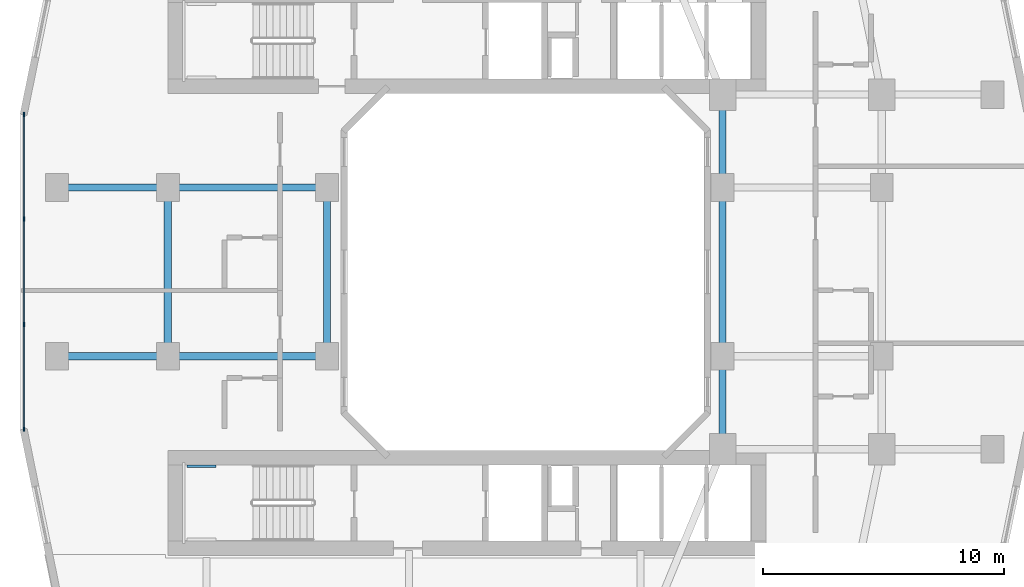
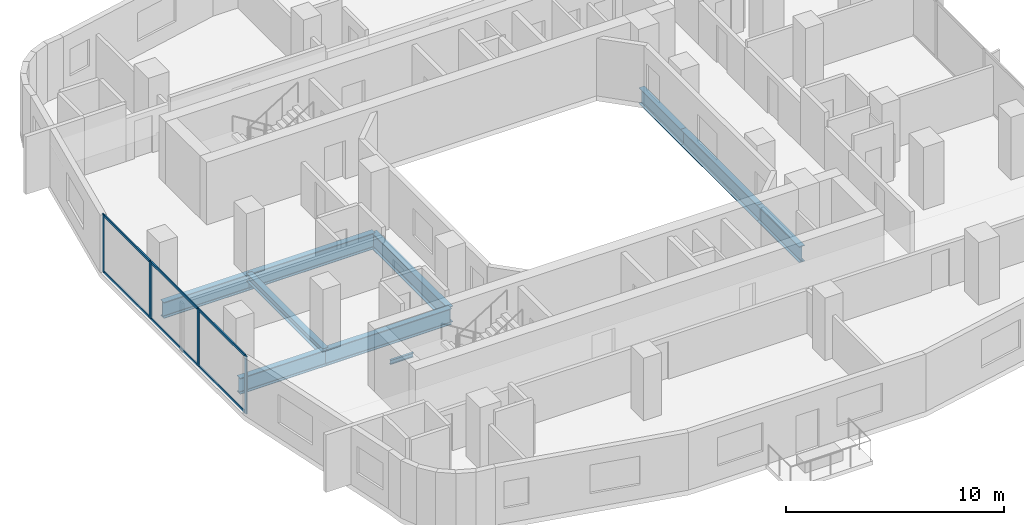
# One storey, part 2 of 22: 10 beams, 10 members, 1 element without a shape of its own.
"""IFC4 building model written with IfcOpenShell, lengths in metres."""

from ifc_helpers import new_model, si_unit, derived_unit, direction, frame, origin, origin_2d, place, context, subcontext, project, spatial, rectangle, i_section, extrude, material, layer, layer_set, material_profile, profile_set, type_object, element, aggregate, save


model = new_model("IFC4")

# Units and contexts
model_context = context("Model", 3, precision=1e-05, world=origin(), true_north=direction((0.0, 1.0)))
body_context = subcontext(model_context, "Body", "Model", "MODEL_VIEW")
ifc_project = project(units=[si_unit("LENGTHUNIT", "METRE"), si_unit("AREAUNIT", "SQUARE_METRE"), si_unit("VOLUMEUNIT", "CUBIC_METRE"), si_unit("PLANEANGLEUNIT", "RADIAN"), si_unit("MASSUNIT", "GRAM", prefix="KILO"), derived_unit("THERMALTRANSMITTANCEUNIT", [(si_unit("POWERUNIT", "WATT"), 1), (si_unit("LENGTHUNIT", "METRE"), -2), (si_unit("THERMODYNAMICTEMPERATUREUNIT", "KELVIN"), -1)])], contexts=[model_context])

# Site, building, storey
site_placement = place(None, origin())
site = spatial("IfcSite", under=ifc_project, at=site_placement, CompositionType="ELEMENT")
building_placement = place(site_placement, origin())
building = spatial("IfcBuilding", under=site, at=building_placement, Name="Kivonza Crest Hotel", CompositionType="ELEMENT")
storey_placement = place(building_placement, frame((0.0, 0.0, 27.5)))
storey = spatial("IfcBuildingStorey", under=building, at=storey_placement, Name="L06", CompositionType="ELEMENT", Elevation=27.5)

# Beams
ifc_material_1 = material(Name="Steel S355", Category="steel")
ifc_material_profile_1 = material_profile(ifc_material_1, i_section(OverallWidth=0.300048828125, OverallDepth=0.449951171875, WebThickness=0.013916015625, FlangeThickness=0.02587890625, FilletRadius=0.027099609375, at=origin_2d()), Name="HEB 450")
ifc_profile_set_1 = profile_set([ifc_material_profile_1], Name="Steel S355")
beam_type_1 = type_object("IfcBeamType", Name="BM-HEB450", PredefinedType="SPANDREL", material=ifc_profile_set_1)
beam_1_placement = place(storey_placement, frame((6.199951171875, 28.5, -0.5048828125), z_axis=(0.0, -1.0, 0.0), x_axis=(1.0, 0.0, 0.0)))
element("IfcBeam", 1, at=beam_1_placement, inside=storey, type_object=beam_type_1, Name="Tower T1 L06 perimeter spandrel W2-W1", PredefinedType="SPANDREL", context=body_context, shape_type="SweptSolid", body=[
    extrude(i_section(OverallWidth=0.300048828125, OverallDepth=0.449951171875, WebThickness=0.013916015625, FlangeThickness=0.02587890625, FilletRadius=0.027099609375, at=origin_2d()), origin(), (0.0, 0.0, 1.0), 7.0),
])
ifc_material_profile_2 = material_profile(ifc_material_1, i_section(OverallWidth=0.300048828125, OverallDepth=0.89990234375, WebThickness=0.0185546875, FlangeThickness=0.034912109375, FilletRadius=0.030029296875, at=origin_2d()), Name="HEB 900")
ifc_profile_set_2 = profile_set([ifc_material_profile_2], Name="Steel S355")
beam_type_2 = type_object("IfcBeamType", Name="BM-HEB900", PredefinedType="BEAM", material=ifc_profile_set_2)
for number, where, z_axis, x_axis, name in (
    (2, (6.199951171875, 21.5, -0.72998046875), (1.0, 0.0, 0.0), (0.0, 1.0, 0.0), "Tower T1 L06 primary girder W1-WL1"),
    (3, (6.199951171875, 28.5, -0.72998046875), (1.0, 0.0, 0.0), (0.0, 1.0, 0.0), "Tower T1 L06 primary girder W2-WL2"),
):
    element("IfcBeam", number, at=place(storey_placement, frame(where, z_axis=z_axis, x_axis=x_axis)), inside=storey, type_object=beam_type_2, Name=name, PredefinedType="BEAM", context=body_context, shape_type="SweptSolid", body=[
        extrude(i_section(OverallWidth=0.300048828125, OverallDepth=0.89990234375, WebThickness=0.0185546875, FlangeThickness=0.034912109375, FilletRadius=0.030029296875, at=origin_2d()), origin(), (0.0, 0.0, 1.0), 6.60009765625),
    ])
for number, where, z_axis, x_axis, name in (
    (4, (12.800048828125, 21.5, -0.72998046875), (0.0, 1.0, 0.0), (-1.0, 0.0, 0.0), "Tower T1 L06 primary girder WL1-WL2"),
    (5, (29.199951171875, 21.5, -0.72998046875), (0.0, 1.0, 0.0), (-1.0, 0.0, 0.0), "Tower T1 L06 primary girder WR1-WR2"),
):
    element("IfcBeam", number, at=place(storey_placement, frame(where, z_axis=z_axis, x_axis=x_axis)), inside=storey, type_object=beam_type_2, Name=name, PredefinedType="BEAM", context=body_context, shape_type="SweptSolid", body=[
        extrude(i_section(OverallWidth=0.300048828125, OverallDepth=0.89990234375, WebThickness=0.0185546875, FlangeThickness=0.034912109375, FilletRadius=0.030029296875, at=origin_2d()), origin(), (0.0, 0.0, 1.0), 7.0),
    ])
for number, where, z_axis, x_axis, name in (
    (6, (29.199951171875, 17.64990234375, -0.72998046875), (0.0, 1.0, 0.0), (-1.0, 0.0, 0.0), "Tower T1 L06 primary girder TSE-WR1"),
    (7, (29.199951171875, 28.5, -0.72998046875), (0.0, 1.0, 0.0), (-1.0, 0.0, 0.0), "Tower T1 L06 primary girder WR2-TNE"),
):
    element("IfcBeam", number, at=place(storey_placement, frame(where, z_axis=z_axis, x_axis=x_axis)), inside=storey, type_object=beam_type_2, Name=name, PredefinedType="BEAM", context=body_context, shape_type="SweptSolid", body=[
        extrude(i_section(OverallWidth=0.300048828125, OverallDepth=0.89990234375, WebThickness=0.0185546875, FlangeThickness=0.034912109375, FilletRadius=0.030029296875, at=origin_2d()), origin(), (0.0, 0.0, 1.0), 3.85009765625),
    ])
for number, where, z_axis, x_axis, name in (
    (8, (1.60009765625, 21.5, -0.72998046875), (1.0, 0.0, 0.0), (0.0, 1.0, 0.0), "Tower T1 L06 outer bay girder ZW1"),
    (9, (1.60009765625, 28.5, -0.72998046875), (1.0, 0.0, 0.0), (0.0, 1.0, 0.0), "Tower T1 L06 outer bay girder ZW2"),
):
    element("IfcBeam", number, at=place(storey_placement, frame(where, z_axis=z_axis, x_axis=x_axis)), inside=storey, type_object=beam_type_2, Name=name, PredefinedType="BEAM", context=body_context, shape_type="SweptSolid", body=[
        extrude(i_section(OverallWidth=0.300048828125, OverallDepth=0.89990234375, WebThickness=0.0185546875, FlangeThickness=0.034912109375, FilletRadius=0.030029296875, at=origin_2d()), origin(), (0.0, 0.0, 1.0), 4.599853515625),
    ])
ifc_material_profile_3 = material_profile(ifc_material_1, i_section(OverallWidth=0.1201171875, OverallDepth=0.239990234375, WebThickness=0.006103515625, FlangeThickness=0.009765625, FilletRadius=0.014892578125, at=origin_2d()), Name="IPE 240")
ifc_profile_set_3 = profile_set([ifc_material_profile_3], Name="Steel S355")
beam_type_3 = type_object("IfcBeamType", Name="BM-LLDG-240", PredefinedType="BEAM", material=ifc_profile_set_3)
beam_2_placement = place(storey_placement, frame((6.989990234375, 16.93994140625, 1.429931640625), z_axis=(1.0, 0.0, 0.0), x_axis=(0.0, 1.0, 0.0)))
element("IfcBeam", 10, at=beam_2_placement, inside=storey, type_object=beam_type_3, Name="Stair ST-T1-S L06 North landing corbel", PredefinedType="BEAM", context=body_context, shape_type="SweptSolid", body=[
    extrude(i_section(OverallWidth=0.1201171875, OverallDepth=0.239990234375, WebThickness=0.006103515625, FlangeThickness=0.009765625, FilletRadius=0.014892578125, at=origin_2d()), origin(), (0.0, 0.0, 1.0), 1.2099609375),
])

# Curtain wall, members
ifc_material_2 = material(Name="Anodised bronze aluminium and low-E double glazing", Category="aluminium")
ifc_layer = layer(ifc_material_2, 0.179931640625)
ifc_layer_set = layer_set([ifc_layer], Name="Anodised bronze aluminium and low-E double glazing")
curtain_wall_type = type_object("IfcCurtainWallType", Name="CW-SYS-2", PredefinedType="NOTDEFINED", material=ifc_layer_set)
curtain_wall_placement = place(storey_placement, origin())
curtain_wall = element("IfcCurtainWall", 11, at=curtain_wall_placement, inside=storey, type_object=curtain_wall_type, Name="L06 unitised curtain wall CW-T1-L06-35", PredefinedType="NOTDEFINED")
ifc_material_3 = material(Name="Anodised bronze aluminium", Category="aluminium")
ifc_material_profile_4 = material_profile(ifc_material_3, rectangle(XDim=0.06494140625, YDim=0.179931640625, at=origin_2d()), Name="CW-M 65x180")
ifc_profile_set_4 = profile_set([ifc_material_profile_4], Name="Anodised bronze aluminium")
member_type_1 = type_object("IfcMemberType", Name="CW-MUL-65x180", PredefinedType="MULLION", material=ifc_profile_set_4)
member_1_placement = place(storey_placement, frame((0.239990234375, 31.527587890625, 0.0), z_axis=(0.0, 0.0, 1.0), x_axis=(1.0, 0.0, 0.0)))
member_1 = element("IfcMember", 12, at=member_1_placement, type_object=member_type_1, Name="CW-2 mullion 1", PredefinedType="MULLION", context=body_context, shape_type="SweptSolid", body=[
    extrude(rectangle(XDim=0.06494140625, YDim=0.179931640625, at=origin_2d()), origin(), (0.0, 0.0, 1.0), 3.219970703125),
])
member_2_placement = place(storey_placement, frame((0.239990234375, 27.186767578125, 0.0), z_axis=(0.0, 0.0, 1.0), x_axis=(1.0, 0.0, 0.0)))
member_2 = element("IfcMember", 13, at=member_2_placement, type_object=member_type_1, Name="CW-2 mullion 2", PredefinedType="MULLION", context=body_context, shape_type="SweptSolid", body=[
    extrude(rectangle(XDim=0.06494140625, YDim=0.179931640625, at=origin_2d()), origin(), (0.0, 0.0, 1.0), 3.219970703125),
])
member_3_placement = place(storey_placement, frame((0.239990234375, 22.813232421875, 0.0), z_axis=(0.0, 0.0, 1.0), x_axis=(1.0, 0.0, 0.0)))
member_3 = element("IfcMember", 14, at=member_3_placement, type_object=member_type_1, Name="CW-2 mullion 3", PredefinedType="MULLION", context=body_context, shape_type="SweptSolid", body=[
    extrude(rectangle(XDim=0.06494140625, YDim=0.179931640625, at=origin_2d()), origin(), (0.0, 0.0, 1.0), 3.219970703125),
])
member_4_placement = place(storey_placement, frame((0.239990234375, 18.472412109375, 0.0), z_axis=(0.0, 0.0, 1.0), x_axis=(1.0, 0.0, 0.0)))
member_4 = element("IfcMember", 15, at=member_4_placement, type_object=member_type_1, Name="CW-2 mullion 4", PredefinedType="MULLION", context=body_context, shape_type="SweptSolid", body=[
    extrude(rectangle(XDim=0.06494140625, YDim=0.179931640625, at=origin_2d()), origin(), (0.0, 0.0, 1.0), 3.219970703125),
])
ifc_material_profile_5 = material_profile(ifc_material_3, rectangle(XDim=0.06494140625, YDim=0.139892578125, at=origin_2d()), Name="CW-T 65x140")
ifc_profile_set_5 = profile_set([ifc_material_profile_5], Name="Anodised bronze aluminium")
member_type_2 = type_object("IfcMemberType", Name="CW-TRN-65x140", PredefinedType="USERDEFINED", material=ifc_profile_set_5)
member_5_placement = place(storey_placement, frame((0.239990234375, 31.4951171875, 0.032470703125), z_axis=(0.0, -1.0, 0.0), x_axis=(1.0, 0.0, 0.0)))
member_5 = element("IfcMember", 16, at=member_5_placement, type_object=member_type_2, Name="CW-2 transom 1.1", ObjectType="TRANSOM", PredefinedType="USERDEFINED", context=body_context, shape_type="SweptSolid", body=[
    extrude(rectangle(XDim=0.06494140625, YDim=0.139892578125, at=origin_2d()), origin(), (0.0, 0.0, 1.0), 4.27587890625),
])
member_6_placement = place(storey_placement, frame((0.239990234375, 31.4951171875, 3.1875), z_axis=(0.0, -1.0, 0.0), x_axis=(1.0, 0.0, 0.0)))
member_6 = element("IfcMember", 17, at=member_6_placement, type_object=member_type_2, Name="CW-2 transom 1.2", ObjectType="TRANSOM", PredefinedType="USERDEFINED", context=body_context, shape_type="SweptSolid", body=[
    extrude(rectangle(XDim=0.06494140625, YDim=0.139892578125, at=origin_2d()), origin(), (0.0, 0.0, 1.0), 4.27587890625),
])
member_7_placement = place(storey_placement, frame((0.239990234375, 27.154052734375, 0.032470703125), z_axis=(0.0, -1.0, 0.0), x_axis=(1.0, 0.0, 0.0)))
member_7 = element("IfcMember", 18, at=member_7_placement, type_object=member_type_2, Name="CW-2 transom 2.1", ObjectType="TRANSOM", PredefinedType="USERDEFINED", context=body_context, shape_type="SweptSolid", body=[
    extrude(rectangle(XDim=0.06494140625, YDim=0.139892578125, at=origin_2d()), origin(), (0.0, 0.0, 1.0), 4.30810546875),
])
member_8_placement = place(storey_placement, frame((0.239990234375, 27.154052734375, 3.1875), z_axis=(0.0, -1.0, 0.0), x_axis=(1.0, 0.0, 0.0)))
member_8 = element("IfcMember", 19, at=member_8_placement, type_object=member_type_2, Name="CW-2 transom 2.2", ObjectType="TRANSOM", PredefinedType="USERDEFINED", context=body_context, shape_type="SweptSolid", body=[
    extrude(rectangle(XDim=0.06494140625, YDim=0.139892578125, at=origin_2d()), origin(), (0.0, 0.0, 1.0), 4.30810546875),
])
member_9_placement = place(storey_placement, frame((0.239990234375, 22.78076171875, 0.032470703125), z_axis=(0.0, -1.0, 0.0), x_axis=(1.0, 0.0, 0.0)))
member_9 = element("IfcMember", 20, at=member_9_placement, type_object=member_type_2, Name="CW-2 transom 3.1", ObjectType="TRANSOM", PredefinedType="USERDEFINED", context=body_context, shape_type="SweptSolid", body=[
    extrude(rectangle(XDim=0.06494140625, YDim=0.139892578125, at=origin_2d()), origin(), (0.0, 0.0, 1.0), 4.27587890625),
])
member_10_placement = place(storey_placement, frame((0.239990234375, 22.78076171875, 3.1875), z_axis=(0.0, -1.0, 0.0), x_axis=(1.0, 0.0, 0.0)))
member_10 = element("IfcMember", 21, at=member_10_placement, type_object=member_type_2, Name="CW-2 transom 3.2", ObjectType="TRANSOM", PredefinedType="USERDEFINED", context=body_context, shape_type="SweptSolid", body=[
    extrude(rectangle(XDim=0.06494140625, YDim=0.139892578125, at=origin_2d()), origin(), (0.0, 0.0, 1.0), 4.27587890625),
])
aggregate(curtain_wall, [member_1, member_2, member_3, member_4, member_5, member_6, member_7, member_8, member_9, member_10])

save(model, "model.ifc")
